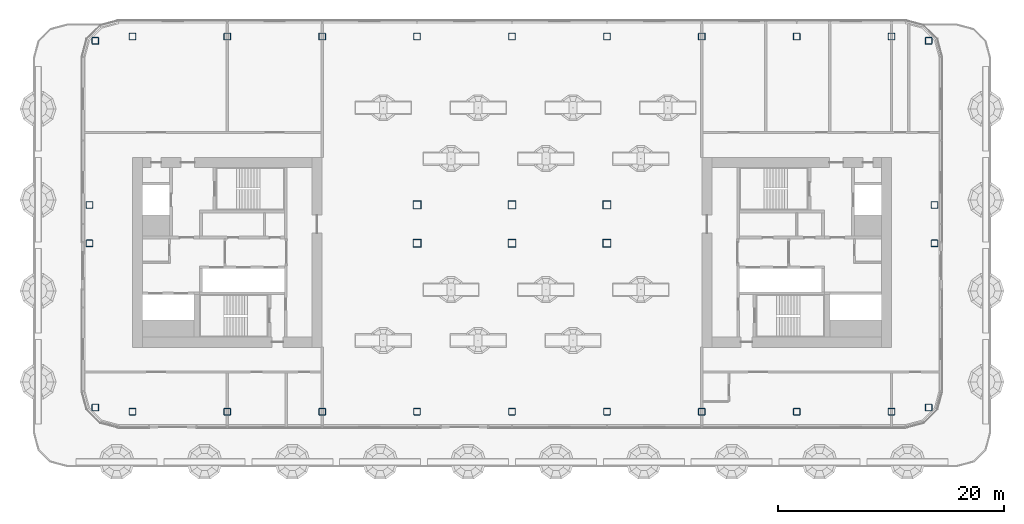
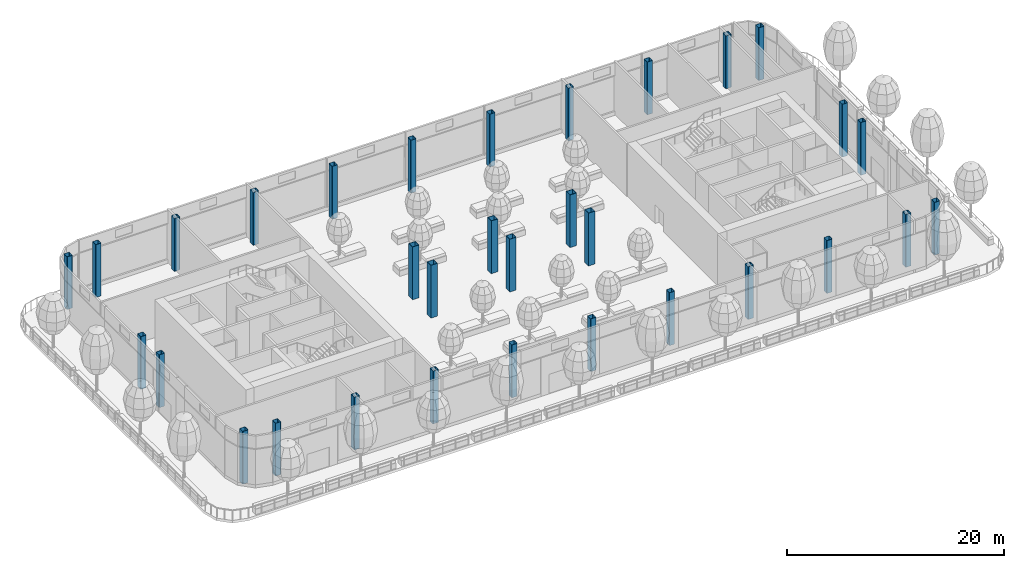
# One storey, part 1 of 41: 32 columns.
"""IFC4 building model written with IfcOpenShell, lengths in metres."""

from ifc_helpers import new_model, si_unit, direction, frame, origin, origin_2d, place, context, subcontext, project, spatial, hollow_rectangle, extrude, material, material_profile, profile_set, type_object, element, save


model = new_model("IFC4")

# Units and contexts
model_context = context("Model", 3, precision=1e-05, world=origin(), true_north=direction((0.0, 1.0)))
body_context = subcontext(model_context, "Body", "Model", "MODEL_VIEW")
ifc_project = project(units=[si_unit("LENGTHUNIT", "METRE"), si_unit("AREAUNIT", "SQUARE_METRE"), si_unit("VOLUMEUNIT", "CUBIC_METRE"), si_unit("PLANEANGLEUNIT", "RADIAN"), si_unit("MASSUNIT", "GRAM", prefix="KILO")], contexts=[model_context])

# Site, building, storey
site_placement = place(None, origin())
site = spatial("IfcSite", under=ifc_project, at=site_placement, CompositionType="ELEMENT")
building_placement = place(site_placement, origin())
building = spatial("IfcBuilding", under=site, at=building_placement, Name="Hakoniwa Tower and Hamabe Station Hall", CompositionType="ELEMENT")
storey_placement = place(building_placement, frame((0.0, 0.0, 180.199951171875)))
storey = spatial("IfcBuildingStorey", under=building, at=storey_placement, Name="L51", CompositionType="ELEMENT", Elevation=180.199951171875)

# Columns
ifc_material_1 = material(Name="Steel BCP325", Category="steel")
ifc_material_profile_1 = material_profile(ifc_material_1, hollow_rectangle(XDim=0.60009765625, YDim=0.60009765625, WallThickness=0.02490234375, InnerFilletRadius=0.03759765625, OuterFilletRadius=0.0625, at=origin_2d()), Name="BCP-600x600x25")
ifc_profile_set_1 = profile_set([ifc_material_profile_1], Name="Steel BCP325")
column_type_1 = type_object("IfcColumnType", Name="COLUMN BCP-600x600x25", PredefinedType="COLUMN", material=ifc_profile_set_1)
for number, where, z_axis, x_axis, name in (
    (1, (-36.877685546875, -13.728515625, 0.0), (0.0, 0.0, 1.0), (1.0, 0.0, 0.0), "Column B4-EW-A4"),
    (2, (-37.39990234375, 0.800048828125, 0.0), (0.0, 0.0, 1.0), (1.0, 0.0, 0.0), "Column B4-EW-C4"),
    (3, (-37.39990234375, 4.199951171875, 0.0), (0.0, 0.0, 1.0), (1.0, 0.0, 0.0), "Column B4-EW-D4"),
    (4, (-36.877685546875, 18.728515625, 0.0), (0.0, 0.0, 1.0), (1.0, 0.0, 0.0), "Column B4-EW-F4"),
    (5, (-33.60009765625, -14.10009765625, 0.0), (0.0, 0.0, 1.0), (1.0, 0.0, 0.0), "Column B4-3-A4"),
    (6, (-33.60009765625, 19.10009765625, 0.0), (0.0, 0.0, 1.0), (1.0, 0.0, 0.0), "Column B4-3-F4"),
    (7, (-25.199951171875, -14.10009765625, 0.0), (0.0, 0.0, 1.0), (1.0, 0.0, 0.0), "Column B4-4-A4"),
    (8, (-25.199951171875, 19.10009765625, 0.0), (0.0, 0.0, 1.0), (1.0, 0.0, 0.0), "Column B4-4-F4"),
    (9, (-16.800048828125, -14.10009765625, 0.0), (0.0, 0.0, 1.0), (1.0, 0.0, 0.0), "Column B4-5-A4"),
    (10, (-16.800048828125, 19.10009765625, 0.0), (0.0, 0.0, 1.0), (1.0, 0.0, 0.0), "Column B4-5-F4"),
    (11, (-8.39990234375, -14.10009765625, 0.0), (0.0, 0.0, 1.0), (1.0, 0.0, 0.0), "Column B4-6-A4"),
    (12, (-8.39990234375, 19.10009765625, 0.0), (0.0, 0.0, 1.0), (1.0, 0.0, 0.0), "Column B4-6-F4"),
    (13, (0.0, -14.10009765625, 0.0), (0.0, 0.0, 1.0), (1.0, 0.0, 0.0), "Column B4-7-A4"),
    (14, (0.0, 19.10009765625, 0.0), (0.0, 0.0, 1.0), (1.0, 0.0, 0.0), "Column B4-7-F4"),
    (15, (8.39990234375, -14.10009765625, 0.0), (0.0, 0.0, 1.0), (1.0, 0.0, 0.0), "Column B4-8-A4"),
    (16, (8.39990234375, 19.10009765625, 0.0), (0.0, 0.0, 1.0), (1.0, 0.0, 0.0), "Column B4-8-F4"),
    (17, (16.800048828125, -14.10009765625, 0.0), (0.0, 0.0, 1.0), (1.0, 0.0, 0.0), "Column B4-9-A4"),
    (18, (16.800048828125, 19.10009765625, 0.0), (0.0, 0.0, 1.0), (1.0, 0.0, 0.0), "Column B4-9-F4"),
    (19, (25.199951171875, -14.10009765625, 0.0), (0.0, 0.0, 1.0), (1.0, 0.0, 0.0), "Column B4-10-A4"),
    (20, (25.199951171875, 19.10009765625, 0.0), (0.0, 0.0, 1.0), (1.0, 0.0, 0.0), "Column B4-10-F4"),
    (21, (33.60009765625, -14.10009765625, 0.0), (0.0, 0.0, 1.0), (1.0, 0.0, 0.0), "Column B4-11-A4"),
    (22, (33.60009765625, 19.10009765625, 0.0), (0.0, 0.0, 1.0), (1.0, 0.0, 0.0), "Column B4-11-F4"),
    (23, (36.877685546875, -13.728515625, 0.0), (0.0, 0.0, 1.0), (1.0, 0.0, 0.0), "Column B4-EE-A4"),
    (24, (37.39990234375, 0.800048828125, 0.0), (0.0, 0.0, 1.0), (1.0, 0.0, 0.0), "Column B4-EE-C4"),
    (25, (37.39990234375, 4.199951171875, 0.0), (0.0, 0.0, 1.0), (1.0, 0.0, 0.0), "Column B4-EE-D4"),
    (26, (36.877685546875, 18.728515625, 0.0), (0.0, 0.0, 1.0), (1.0, 0.0, 0.0), "Column B4-EE-F4"),
):
    element("IfcColumn", number, at=place(storey_placement, frame(where, z_axis=z_axis, x_axis=x_axis)), inside=storey, type_object=column_type_1, Name=name, PredefinedType="COLUMN", context=body_context, shape_type="SweptSolid", body=[
        extrude(hollow_rectangle(XDim=0.60009765625, YDim=0.60009765625, WallThickness=0.02490234375, InnerFilletRadius=0.03759765625, OuterFilletRadius=0.0625, at=origin_2d()), origin(), (0.0, 0.0, 1.0), 5.949951171875),
    ])
ifc_material_2 = material(Name="Steel SN490C", Category="steel")
ifc_material_profile_2 = material_profile(ifc_material_2, hollow_rectangle(XDim=0.699951171875, YDim=0.699951171875, WallThickness=0.028076171875, at=origin_2d()), Name="BX-700x700x28")
ifc_profile_set_2 = profile_set([ifc_material_profile_2], Name="Steel SN490C")
column_type_2 = type_object("IfcColumnType", Name="COLUMN BX-700x700x28", PredefinedType="COLUMN", material=ifc_profile_set_2)
for number, where, z_axis, x_axis, name in (
    (27, (-8.39990234375, 0.800048828125, 0.0), (0.0, 0.0, 1.0), (1.0, 0.0, 0.0), "Column B4-6-C4"),
    (28, (-8.39990234375, 4.199951171875, 0.0), (0.0, 0.0, 1.0), (1.0, 0.0, 0.0), "Column B4-6-D4"),
    (29, (0.0, 0.800048828125, 0.0), (0.0, 0.0, 1.0), (1.0, 0.0, 0.0), "Column B4-7-C4"),
    (30, (0.0, 4.199951171875, 0.0), (0.0, 0.0, 1.0), (1.0, 0.0, 0.0), "Column B4-7-D4"),
    (31, (8.39990234375, 0.800048828125, 0.0), (0.0, 0.0, 1.0), (1.0, 0.0, 0.0), "Column B4-8-C4"),
    (32, (8.39990234375, 4.199951171875, 0.0), (0.0, 0.0, 1.0), (1.0, 0.0, 0.0), "Column B4-8-D4"),
):
    element("IfcColumn", number, at=place(storey_placement, frame(where, z_axis=z_axis, x_axis=x_axis)), inside=storey, type_object=column_type_2, Name=name, PredefinedType="COLUMN", context=body_context, shape_type="SweptSolid", body=[
        extrude(hollow_rectangle(XDim=0.699951171875, YDim=0.699951171875, WallThickness=0.028076171875, at=origin_2d()), origin(), (0.0, 0.0, 1.0), 5.949951171875),
    ])

save(model, "model.ifc")
